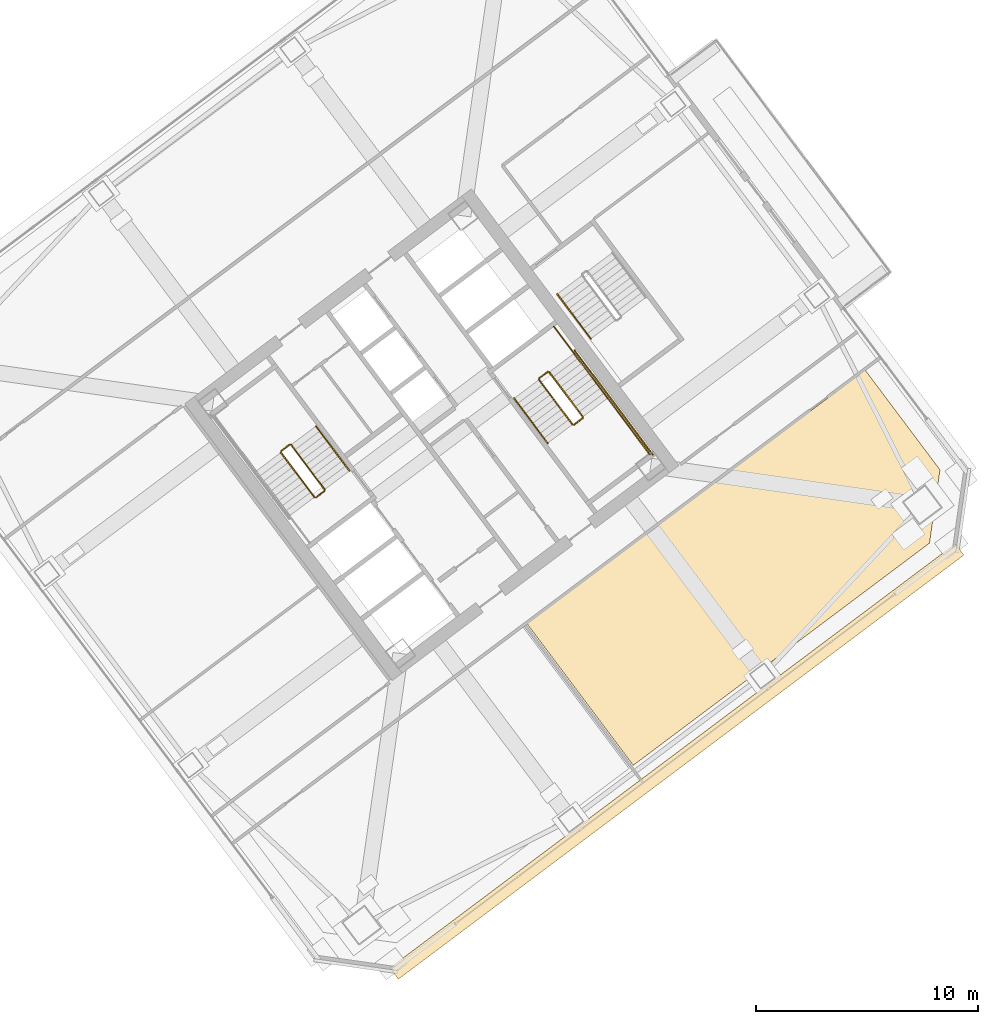
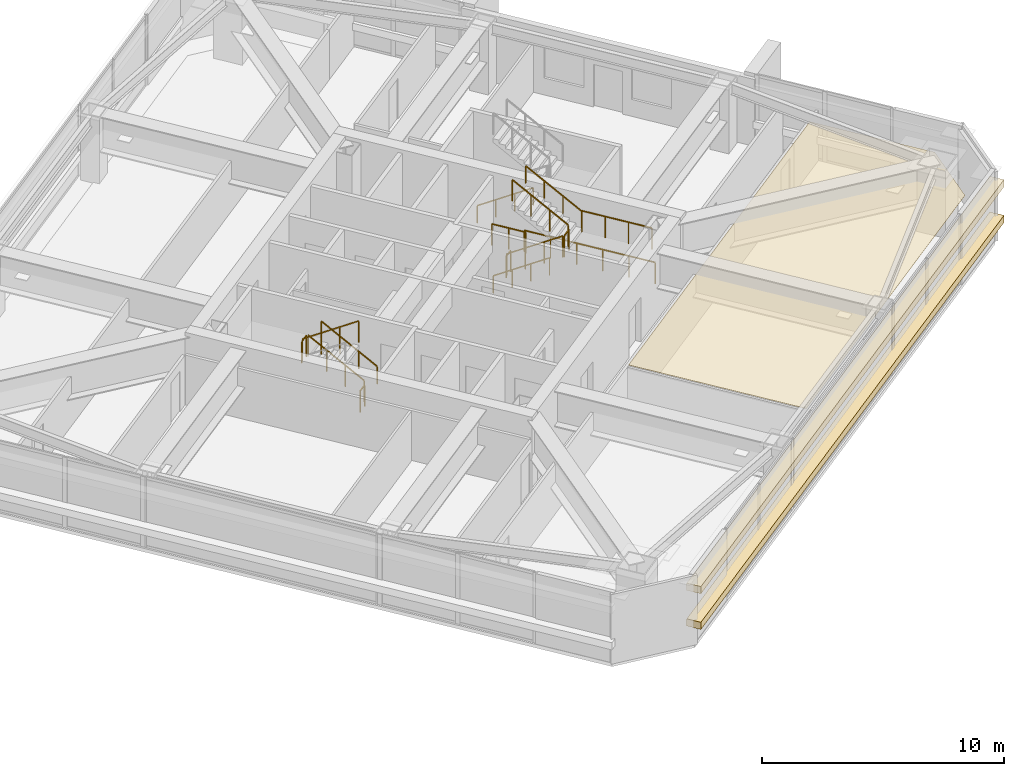
# One storey, part 40 of 42: 15 railings, 3 coverings.
"""IFC4 building model written with IfcOpenShell, lengths in metres."""

from ifc_helpers import new_model, si_unit, direction, frame, origin, origin_2d, place, context, subcontext, project, spatial, polyline, rectangle, outline, extrude, material, layer, layer_set, type_object, element, save


model = new_model("IFC4")

# Units and contexts
model_context = context("Model", 3, precision=1e-05, world=origin(), true_north=direction((0.0, 1.0)))
body_context = subcontext(model_context, "Body", "Model", "MODEL_VIEW")
ifc_project = project(units=[si_unit("LENGTHUNIT", "METRE"), si_unit("AREAUNIT", "SQUARE_METRE"), si_unit("VOLUMEUNIT", "CUBIC_METRE"), si_unit("PLANEANGLEUNIT", "RADIAN"), si_unit("MASSUNIT", "GRAM", prefix="KILO")], contexts=[model_context])

# Site, building, storey
site_placement = place(None, origin())
site = spatial("IfcSite", under=ifc_project, at=site_placement, CompositionType="ELEMENT")
building_placement = place(site_placement, origin())
building = spatial("IfcBuilding", under=site, at=building_placement, Name="Tashvorn Skyway Center", CompositionType="ELEMENT")
storey_placement = place(building_placement, frame((0.0, 0.0, 153.449951171875)))
storey = spatial("IfcBuildingStorey", under=building, at=storey_placement, Name="L41", CompositionType="ELEMENT", Elevation=153.449951171875)

# Coverings
ifc_material_1 = material(Name="Mineral-fibre acoustic ceiling tile on suspended grid")
ifc_layer_1 = layer(ifc_material_1, 0.02001953125)
ifc_layer_set_1 = layer_set([ifc_layer_1], Name="Mineral-fibre acoustic ceiling tile on suspended grid")
covering_type_1 = type_object("IfcCoveringType", Name="COV-CEIL-20", PredefinedType="CEILING", material=ifc_layer_set_1)
covering_placement = place(storey_placement, frame((0.0, 0.0, 2.4931640625)))
element("IfcCovering", 1, at=covering_placement, inside=storey, type_object=covering_type_1, Name="Tower 2 L41 Catering Pantry Acoustic Ceiling", PredefinedType="CEILING", context=body_context, shape_type="SweptSolid", body=[
    extrude(outline(polyline([(123.083984375, 17.087890625), (118.2900390625, 23.47998046875), (133.5380859375, 34.916015625), (136.916015625, 30.412109375), (136.444091796875, 27.10791015625), (123.083984375, 17.087890625)])), origin(), (0.0, 0.0, 1.0), 0.019775390625),
])
ifc_material_2 = material(Name="Perforated ceramic-coated bronze aluminium solar screen", Category="aluminium")
ifc_layer_2 = layer(ifc_material_2, 0.85009765625)
ifc_layer_set_2 = layer_set([ifc_layer_2], Name="Perforated ceramic-coated bronze aluminium solar screen")
covering_type_2 = type_object("IfcCoveringType", Name="COV-SOLAR-BAND", PredefinedType="CLADDING", material=ifc_layer_set_2)
for number, where, z_axis, x_axis, name in (
    (2, (125.052001953125, 17.263916015625, 0.919921875), (0.0, 0.0, 1.0), (-0.799999996291, -0.600000004945, 0.0), "L41 Perforated Ceramic-Metal Solar Screen Louvre Band South 1"),
    (3, (125.052001953125, 17.263916015625, 2.72021484375), (0.0, 0.0, 1.0), (-0.799999996291, -0.600000004945, 0.0), "L41 Perforated Ceramic-Metal Solar Screen Louvre Band South 2"),
):
    element("IfcCovering", number, at=place(storey_placement, frame(where, z_axis=z_axis, x_axis=x_axis)), inside=storey, type_object=covering_type_2, Name=name, PredefinedType="CLADDING", context=body_context, shape_type="SweptSolid", body=[
        extrude(rectangle(XDim=31.8798828125, YDim=0.639892578125, at=origin_2d()), origin(), (0.0, 0.0, 1.0), 0.360107421875),
    ])

# Railings
ifc_material_3 = material(Name="Brushed stainless steel 316", Category="steel")
railing_type_1 = type_object("IfcRailingType", Name="RAIL-HAND-920", PredefinedType="HANDRAIL", material=ifc_material_3)
railing_1_placement = place(storey_placement, frame((110.2880859375, 30.365966796875, 0.177490234375)))
element("IfcRailing", 4, at=railing_1_placement, inside=storey, type_object=railing_type_1, Name="L41 ST-T2-1 stair handrail 1", PredefinedType="HANDRAIL", context=body_context, shape_type="SweptSolid", body=[
    extrude(rectangle(XDim=0.048095703125, YDim=0.048095703125, at=origin_2d()), frame((0.0, 0.0, 0.8759765625), z_axis=(-0.506779409603, 0.675651334276, 0.53541563714), x_axis=(-0.799976749893, -0.600030998891, 0.0)), (0.0, 0.0, 1.0), 2.98388671875),
    extrude(rectangle(XDim=0.0419921875, YDim=0.0419921875, at=origin_2d()), origin(), (0.0, 0.0, 1.0), 0.851806640625),
    extrude(rectangle(XDim=0.0419921875, YDim=0.0419921875, at=origin_2d()), frame((-0.504150390625, 0.672119140625, 0.532470703125)), (0.0, 0.0, 1.0), 0.851806640625),
    extrude(rectangle(XDim=0.0419921875, YDim=0.0419921875, at=origin_2d()), frame((-1.008056640625, 1.343994140625, 1.065185546875)), (0.0, 0.0, 1.0), 0.851806640625),
    extrude(rectangle(XDim=0.0419921875, YDim=0.0419921875, at=origin_2d()), frame((-1.51220703125, 2.01611328125, 1.59765625)), (0.0, 0.0, 1.0), 0.851806640625),
])
railing_2_placement = place(storey_placement, frame((117.7119140625, 33.634033203125, 0.177490234375)))
element("IfcRailing", 5, at=railing_2_placement, inside=storey, type_object=railing_type_1, Name="L41 ST-T2-2 stair handrail 1", PredefinedType="HANDRAIL", context=body_context, shape_type="SweptSolid", body=[
    extrude(rectangle(XDim=0.048095703125, YDim=0.048095703125, at=origin_2d()), frame((0.0, 0.0, 0.8759765625), z_axis=(0.506779409603, -0.675651334276, 0.53541563714), x_axis=(0.799976749893, 0.600030998891, 0.0)), (0.0, 0.0, 1.0), 2.98388671875),
    extrude(rectangle(XDim=0.0419921875, YDim=0.0419921875, at=origin_2d()), origin(), (0.0, 0.0, 1.0), 0.851806640625),
    extrude(rectangle(XDim=0.0419921875, YDim=0.0419921875, at=origin_2d()), frame((0.504150390625, -0.672119140625, 0.532470703125)), (0.0, 0.0, 1.0), 0.851806640625),
    extrude(rectangle(XDim=0.0419921875, YDim=0.0419921875, at=origin_2d()), frame((1.008056640625, -1.343994140625, 1.065185546875)), (0.0, 0.0, 1.0), 0.851806640625),
    extrude(rectangle(XDim=0.0419921875, YDim=0.0419921875, at=origin_2d()), frame((1.51220703125, -2.01611328125, 1.59765625)), (0.0, 0.0, 1.0), 0.851806640625),
])
railing_3_placement = place(storey_placement, frame((121.927978515625, 33.64599609375, 1.95263671875)))
element("IfcRailing", 6, at=railing_3_placement, inside=storey, type_object=railing_type_1, Name="L41 ST-T2-2 stair handrail 2", PredefinedType="HANDRAIL", context=body_context, shape_type="SweptSolid", body=[
    extrude(rectangle(XDim=0.048095703125, YDim=0.048095703125, at=origin_2d()), frame((0.0, 0.0, 0.8759765625), z_axis=(-0.506740800098, 0.675708949977, 0.535379469569), x_axis=(-0.800023250257, -0.599968998406, 0.0)), (0.0, 0.0, 1.0), 2.983642578125),
    extrude(rectangle(XDim=0.0419921875, YDim=0.0419921875, at=origin_2d()), origin(), (0.0, 0.0, 1.0), 0.851806640625),
    extrude(rectangle(XDim=0.0419921875, YDim=0.0419921875, at=origin_2d()), frame((-0.50390625, 0.672119140625, 0.532470703125)), (0.0, 0.0, 1.0), 0.851806640625),
    extrude(rectangle(XDim=0.0419921875, YDim=0.0419921875, at=origin_2d()), frame((-1.008056640625, 1.343994140625, 1.06494140625)), (0.0, 0.0, 1.0), 0.851806640625),
    extrude(rectangle(XDim=0.0419921875, YDim=0.0419921875, at=origin_2d()), frame((-1.511962890625, 2.01611328125, 1.597412109375)), (0.0, 0.0, 1.0), 0.851806640625),
])
railing_4_placement = place(storey_placement, frame((119.656005859375, 38.342041015625, 0.177490234375)))
element("IfcRailing", 7, at=railing_4_placement, inside=storey, type_object=railing_type_1, Name="L41 ST-T2-3 stair handrail 1", PredefinedType="HANDRAIL", context=body_context, shape_type="SweptSolid", body=[
    extrude(rectangle(XDim=0.048095703125, YDim=0.048095703125, at=origin_2d()), frame((0.0, 0.0, 0.8759765625), z_axis=(0.506718600913, -0.675679348675, 0.535437836974), x_axis=(0.800023250257, 0.599968998406, 0.0)), (0.0, 0.0, 1.0), 2.98388671875),
    extrude(rectangle(XDim=0.0419921875, YDim=0.0419921875, at=origin_2d()), origin(), (0.0, 0.0, 1.0), 0.851806640625),
    extrude(rectangle(XDim=0.0419921875, YDim=0.0419921875, at=origin_2d()), frame((0.50390625, -0.672119140625, 0.532470703125)), (0.0, 0.0, 1.0), 0.851806640625),
    extrude(rectangle(XDim=0.0419921875, YDim=0.0419921875, at=origin_2d()), frame((1.008056640625, -1.343994140625, 1.065185546875)), (0.0, 0.0, 1.0), 0.851806640625),
    extrude(rectangle(XDim=0.0419921875, YDim=0.0419921875, at=origin_2d()), frame((1.511962890625, -2.01611328125, 1.59765625)), (0.0, 0.0, 1.0), 0.851806640625),
])
ifc_material_4 = material(Name="Painted galvanized steel S355", Category="steel")
railing_type_2 = type_object("IfcRailingType", Name="RAIL-STGUARD-1100", PredefinedType="GUARDRAIL", material=ifc_material_4)
railing_5_placement = place(storey_placement, frame((109.16796875, 29.52587890625, 0.177490234375)))
element("IfcRailing", 8, at=railing_5_placement, inside=storey, type_object=railing_type_2, Name="L41 ST-T2-1 stair guard 1", PredefinedType="GUARDRAIL", context=body_context, shape_type="SweptSolid", body=[
    extrude(rectangle(XDim=0.048095703125, YDim=0.048095703125, at=origin_2d()), frame((0.0, 0.0, 1.076171875), z_axis=(-0.506718600913, 0.675679348675, 0.535437836974), x_axis=(-0.800023250257, -0.599968998406, 0.0)), (0.0, 0.0, 1.0), 2.98388671875),
    extrude(rectangle(XDim=0.0419921875, YDim=0.0419921875, at=origin_2d()), origin(), (0.0, 0.0, 1.0), 1.052001953125),
    extrude(rectangle(XDim=0.0419921875, YDim=0.0419921875, at=origin_2d()), frame((-0.50390625, 0.672119140625, 0.532470703125)), (0.0, 0.0, 1.0), 1.052001953125),
    extrude(rectangle(XDim=0.0419921875, YDim=0.0419921875, at=origin_2d()), frame((-1.008056640625, 1.343994140625, 1.065185546875)), (0.0, 0.0, 1.0), 1.052001953125),
    extrude(rectangle(XDim=0.0419921875, YDim=0.0419921875, at=origin_2d()), frame((-1.511962890625, 2.01611328125, 1.59765625)), (0.0, 0.0, 1.0), 1.052001953125),
])
railing_6_placement = place(storey_placement, frame((107.5859375, 31.552001953125, 1.775146484375)))
element("IfcRailing", 9, at=railing_6_placement, inside=storey, type_object=railing_type_2, Name="L41 ST-T2-1 stair guard 2", PredefinedType="GUARDRAIL", context=body_context, shape_type="SweptSolid", body=[
    extrude(rectangle(XDim=0.048095703125, YDim=0.048095703125, at=origin_2d()), frame((0.0, 0.0, 1.076171875), z_axis=(-0.799938970639, -0.600081363861, 0.0), x_axis=(0.600081363861, -0.799938970639, 0.0)), (0.0, 0.0, 1.0), 0.47998046875),
    extrude(rectangle(XDim=0.0419921875, YDim=0.0419921875, at=origin_2d()), origin(), (0.0, 0.0, 1.0), 1.052001953125),
    extrude(rectangle(XDim=0.0419921875, YDim=0.0419921875, at=origin_2d()), frame((-0.384033203125, -0.2880859375, 0.0)), (0.0, 0.0, 1.0), 1.052001953125),
])
railing_7_placement = place(storey_placement, frame((107.19189453125, 31.194091796875, 1.95263671875)))
element("IfcRailing", 10, at=railing_7_placement, inside=storey, type_object=railing_type_2, Name="L41 ST-T2-1 stair guard 4", PredefinedType="GUARDRAIL", context=body_context, shape_type="SweptSolid", body=[
    extrude(rectangle(XDim=0.048095703125, YDim=0.048095703125, at=origin_2d()), frame((0.0, 0.0, 1.076171875), z_axis=(0.506801609611, -0.675680931896, 0.535357270211), x_axis=(0.799976749893, 0.600030998891, 0.0)), (0.0, 0.0, 1.0), 2.98388671875),
    extrude(rectangle(XDim=0.0419921875, YDim=0.0419921875, at=origin_2d()), origin(), (0.0, 0.0, 1.0), 1.052001953125),
    extrude(rectangle(XDim=0.0419921875, YDim=0.0419921875, at=origin_2d()), frame((0.504150390625, -0.672119140625, 0.532470703125)), (0.0, 0.0, 1.0), 1.052001953125),
    extrude(rectangle(XDim=0.0419921875, YDim=0.0419921875, at=origin_2d()), frame((1.008056640625, -1.343994140625, 1.06494140625)), (0.0, 0.0, 1.0), 1.052001953125),
    extrude(rectangle(XDim=0.0419921875, YDim=0.0419921875, at=origin_2d()), frame((1.51220703125, -2.01611328125, 1.597412109375)), (0.0, 0.0, 1.0), 1.052001953125),
])
railing_8_placement = place(storey_placement, frame((109.157958984375, 29.4560546875, 0.0)))
element("IfcRailing", 11, at=railing_8_placement, inside=storey, type_object=railing_type_2, Name="L41 ST-T2-1 stair guard 5", PredefinedType="GUARDRAIL", context=body_context, shape_type="SweptSolid", body=[
    extrude(rectangle(XDim=0.048095703125, YDim=0.048095703125, at=origin_2d()), frame((0.0, 0.0, 1.076171875), z_axis=(-0.799938970639, -0.600081363861, 0.0), x_axis=(0.600081363861, -0.799938970639, 0.0)), (0.0, 0.0, 1.0), 0.47998046875),
    extrude(rectangle(XDim=0.0419921875, YDim=0.0419921875, at=origin_2d()), origin(), (0.0, 0.0, 1.0), 1.052001953125),
    extrude(rectangle(XDim=0.0419921875, YDim=0.0419921875, at=origin_2d()), frame((-0.384033203125, -0.2880859375, 0.0)), (0.0, 0.0, 1.0), 1.052001953125),
])
railing_9_placement = place(storey_placement, frame((118.83203125, 34.47412109375, 0.177490234375)))
element("IfcRailing", 12, at=railing_9_placement, inside=storey, type_object=railing_type_2, Name="L41 ST-T2-2 stair guard 1", PredefinedType="GUARDRAIL", context=body_context, shape_type="SweptSolid", body=[
    extrude(rectangle(XDim=0.048095703125, YDim=0.048095703125, at=origin_2d()), frame((0.0, 0.0, 1.076171875), z_axis=(0.506718600913, -0.675679348675, 0.535437836974), x_axis=(0.800023250257, 0.599968998406, 0.0)), (0.0, 0.0, 1.0), 2.98388671875),
    extrude(rectangle(XDim=0.0419921875, YDim=0.0419921875, at=origin_2d()), origin(), (0.0, 0.0, 1.0), 1.052001953125),
    extrude(rectangle(XDim=0.0419921875, YDim=0.0419921875, at=origin_2d()), frame((0.50390625, -0.672119140625, 0.532470703125)), (0.0, 0.0, 1.0), 1.052001953125),
    extrude(rectangle(XDim=0.0419921875, YDim=0.0419921875, at=origin_2d()), frame((1.008056640625, -1.343994140625, 1.065185546875)), (0.0, 0.0, 1.0), 1.052001953125),
    extrude(rectangle(XDim=0.0419921875, YDim=0.0419921875, at=origin_2d()), frame((1.511962890625, -2.01611328125, 1.59765625)), (0.0, 0.0, 1.0), 1.052001953125),
])
railing_10_placement = place(storey_placement, frame((120.4140625, 32.447998046875, 1.775146484375)))
element("IfcRailing", 13, at=railing_10_placement, inside=storey, type_object=railing_type_2, Name="L41 ST-T2-2 stair guard 2", PredefinedType="GUARDRAIL", context=body_context, shape_type="SweptSolid", body=[
    extrude(rectangle(XDim=0.048095703125, YDim=0.048095703125, at=origin_2d()), frame((0.0, 0.0, 1.076171875), z_axis=(0.799938970639, 0.600081363861, 0.0), x_axis=(-0.600081363861, 0.799938970639, 0.0)), (0.0, 0.0, 1.0), 0.47998046875),
    extrude(rectangle(XDim=0.0419921875, YDim=0.0419921875, at=origin_2d()), origin(), (0.0, 0.0, 1.0), 1.052001953125),
    extrude(rectangle(XDim=0.0419921875, YDim=0.0419921875, at=origin_2d()), frame((0.384033203125, 0.2880859375, 0.0)), (0.0, 0.0, 1.0), 1.052001953125),
])
railing_11_placement = place(storey_placement, frame((121.927978515625, 33.64599609375, 1.775146484375)))
element("IfcRailing", 14, at=railing_11_placement, inside=storey, type_object=railing_type_2, Name="L41 ST-T2-2 stair guard 3", PredefinedType="GUARDRAIL", context=body_context, shape_type="SweptSolid", body=[
    extrude(rectangle(XDim=0.048095703125, YDim=0.048095703125, at=origin_2d()), frame((0.0, 0.0, 1.076171875), z_axis=(0.599987638607, -0.800009270896, 0.0), x_axis=(0.800009270896, 0.599987638607, 0.0)), (0.0, 0.0, 1.0), 3.16015625),
    extrude(rectangle(XDim=0.0419921875, YDim=0.0419921875, at=origin_2d()), origin(), (0.0, 0.0, 1.0), 1.052001953125),
    extrude(rectangle(XDim=0.0419921875, YDim=0.0419921875, at=origin_2d()), frame((0.632080078125, -0.8427734375, 0.0)), (0.0, 0.0, 1.0), 1.052001953125),
    extrude(rectangle(XDim=0.0419921875, YDim=0.0419921875, at=origin_2d()), frame((1.263916015625, -1.685302734375, 0.0)), (0.0, 0.0, 1.0), 1.052001953125),
    extrude(rectangle(XDim=0.0419921875, YDim=0.0419921875, at=origin_2d()), frame((1.89599609375, -2.528076171875, 0.0)), (0.0, 0.0, 1.0), 1.052001953125),
])
railing_12_placement = place(storey_placement, frame((120.80810546875, 32.805908203125, 1.95263671875)))
element("IfcRailing", 15, at=railing_12_placement, inside=storey, type_object=railing_type_2, Name="L41 ST-T2-2 stair guard 4", PredefinedType="GUARDRAIL", context=body_context, shape_type="SweptSolid", body=[
    extrude(rectangle(XDim=0.048095703125, YDim=0.048095703125, at=origin_2d()), frame((0.0, 0.0, 1.076171875), z_axis=(-0.506801609611, 0.675680931896, 0.535357270211), x_axis=(-0.799976749893, -0.600030998891, 0.0)), (0.0, 0.0, 1.0), 2.98388671875),
    extrude(rectangle(XDim=0.0419921875, YDim=0.0419921875, at=origin_2d()), origin(), (0.0, 0.0, 1.0), 1.052001953125),
    extrude(rectangle(XDim=0.0419921875, YDim=0.0419921875, at=origin_2d()), frame((-0.504150390625, 0.672119140625, 0.532470703125)), (0.0, 0.0, 1.0), 1.052001953125),
    extrude(rectangle(XDim=0.0419921875, YDim=0.0419921875, at=origin_2d()), frame((-1.008056640625, 1.343994140625, 1.06494140625)), (0.0, 0.0, 1.0), 1.052001953125),
    extrude(rectangle(XDim=0.0419921875, YDim=0.0419921875, at=origin_2d()), frame((-1.51220703125, 2.01611328125, 1.597412109375)), (0.0, 0.0, 1.0), 1.052001953125),
])
railing_13_placement = place(storey_placement, frame((118.842041015625, 34.5439453125, 0.0)))
element("IfcRailing", 16, at=railing_13_placement, inside=storey, type_object=railing_type_2, Name="L41 ST-T2-2 stair guard 5", PredefinedType="GUARDRAIL", context=body_context, shape_type="SweptSolid", body=[
    extrude(rectangle(XDim=0.048095703125, YDim=0.048095703125, at=origin_2d()), frame((0.0, 0.0, 1.076171875), z_axis=(0.799938970639, 0.600081363861, 0.0), x_axis=(-0.600081363861, 0.799938970639, 0.0)), (0.0, 0.0, 1.0), 0.47998046875),
    extrude(rectangle(XDim=0.0419921875, YDim=0.0419921875, at=origin_2d()), origin(), (0.0, 0.0, 1.0), 1.052001953125),
    extrude(rectangle(XDim=0.0419921875, YDim=0.0419921875, at=origin_2d()), frame((0.384033203125, 0.2880859375, 0.0)), (0.0, 0.0, 1.0), 1.052001953125),
])
railing_14_placement = place(storey_placement, frame((119.50390625, 36.8779296875, 0.0)))
element("IfcRailing", 17, at=railing_14_placement, inside=storey, type_object=railing_type_2, Name="L41 ST-T2-2 stair guard 6", PredefinedType="GUARDRAIL", context=body_context, shape_type="SweptSolid", body=[
    extrude(rectangle(XDim=0.048095703125, YDim=0.048095703125, at=origin_2d()), frame((0.0, 0.0, 1.076171875), z_axis=(0.600102796382, -0.799922892393, 0.0), x_axis=(0.799922892393, 0.600102796382, 0.0)), (0.0, 0.0, 1.0), 1.52001953125),
    extrude(rectangle(XDim=0.0419921875, YDim=0.0419921875, at=origin_2d()), origin(), (0.0, 0.0, 1.0), 1.052001953125),
    extrude(rectangle(XDim=0.0419921875, YDim=0.0419921875, at=origin_2d()), frame((0.4560546875, -0.60791015625, 0.0)), (0.0, 0.0, 1.0), 1.052001953125),
    extrude(rectangle(XDim=0.0419921875, YDim=0.0419921875, at=origin_2d()), frame((0.912109375, -1.2158203125, 0.0)), (0.0, 0.0, 1.0), 1.052001953125),
])
railing_15_placement = place(storey_placement, frame((120.43603515625, 35.802001953125, 0.0)))
element("IfcRailing", 18, at=railing_15_placement, inside=storey, type_object=railing_type_2, Name="L41 ST-T2-2 stair guard 7", PredefinedType="GUARDRAIL", context=body_context, shape_type="SweptSolid", body=[
    extrude(rectangle(XDim=0.048095703125, YDim=0.048095703125, at=origin_2d()), frame((0.0, 0.0, 1.076171875), z_axis=(0.6, -0.8, 0.0), x_axis=(0.8, 0.6, 0.0)), (0.0, 0.0, 1.0), 5.880126953125),
    extrude(rectangle(XDim=0.0419921875, YDim=0.0419921875, at=origin_2d()), origin(), (0.0, 0.0, 1.0), 1.052001953125),
    extrude(rectangle(XDim=0.0419921875, YDim=0.0419921875, at=origin_2d()), frame((0.70556640625, -0.94091796875, 0.0)), (0.0, 0.0, 1.0), 1.052001953125),
    extrude(rectangle(XDim=0.0419921875, YDim=0.0419921875, at=origin_2d()), frame((1.4111328125, -1.881591796875, 0.0)), (0.0, 0.0, 1.0), 1.052001953125),
    extrude(rectangle(XDim=0.0419921875, YDim=0.0419921875, at=origin_2d()), frame((2.116943359375, -2.822509765625, 0.0)), (0.0, 0.0, 1.0), 1.052001953125),
    extrude(rectangle(XDim=0.0419921875, YDim=0.0419921875, at=origin_2d()), frame((2.822509765625, -3.76318359375, 0.0)), (0.0, 0.0, 1.0), 1.052001953125),
    extrude(rectangle(XDim=0.0419921875, YDim=0.0419921875, at=origin_2d()), frame((3.528076171875, -4.7041015625, 0.0)), (0.0, 0.0, 1.0), 1.052001953125),
])

save(model, "model.ifc")
